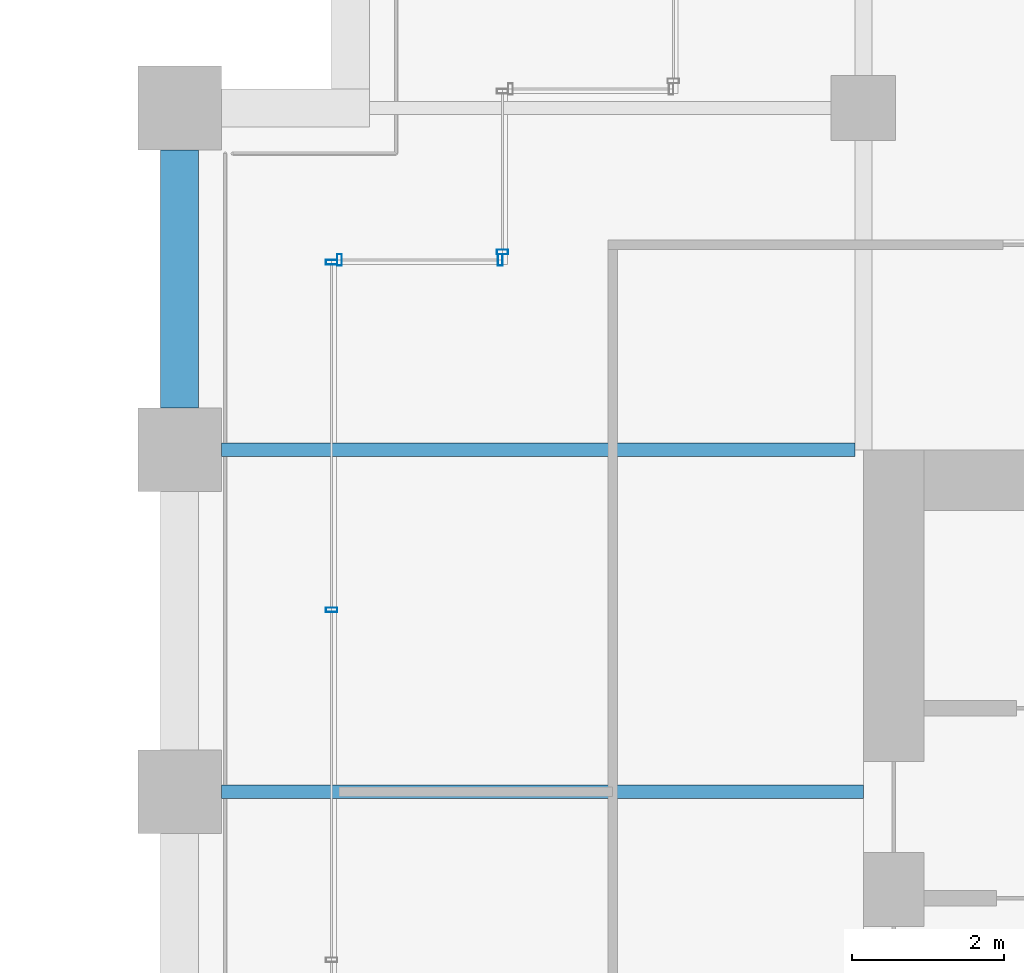
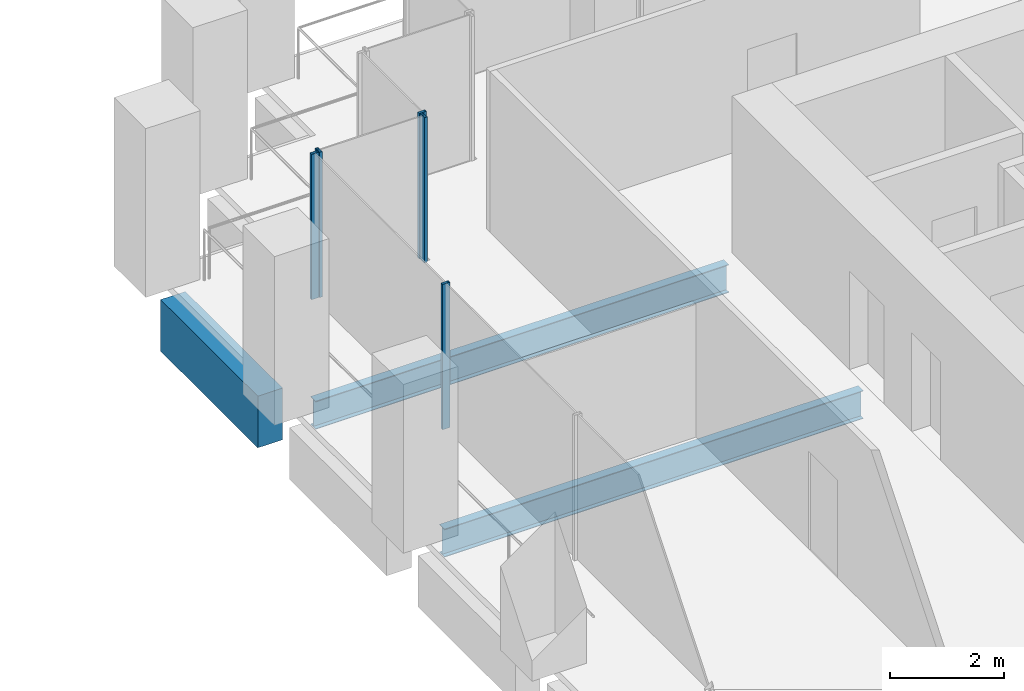
# One storey, part 40 of 56: 5 members, 3 beams, 3 elements without a shape of their own.
"""IFC4 building model written with IfcOpenShell, lengths in metres."""

from ifc_helpers import new_model, si_unit, direction, frame, origin, origin_2d, place, context, subcontext, project, spatial, rectangle, hollow_rectangle, i_section, extrude, material, material_profile, profile_set, type_object, element, aggregate, save


model = new_model("IFC4")

# Units and contexts
model_context = context("Model", 3, precision=1e-05, world=origin(), true_north=direction((0.0, 1.0)))
body_context = subcontext(model_context, "Body", "Model", "MODEL_VIEW")
ifc_project = project(units=[si_unit("LENGTHUNIT", "METRE"), si_unit("AREAUNIT", "SQUARE_METRE"), si_unit("VOLUMEUNIT", "CUBIC_METRE"), si_unit("PLANEANGLEUNIT", "RADIAN"), si_unit("MASSUNIT", "GRAM", prefix="KILO")], contexts=[model_context])

# Site, building, storey
site_placement = place(None, origin())
site = spatial("IfcSite", under=ifc_project, at=site_placement, CompositionType="ELEMENT")
building_placement = place(site_placement, origin())
building = spatial("IfcBuilding", under=site, at=building_placement, Name="Altepetl Exchange Towers", CompositionType="ELEMENT")
storey_placement = place(building_placement, frame((0.0, 0.0, 79.800048828125)))
storey = spatial("IfcBuildingStorey", under=building, at=storey_placement, Name="L19", CompositionType="ELEMENT", Elevation=79.800048828125)

# Beams
ifc_material_1 = material(Name="Steel S355", Category="steel")
ifc_material_profile_1 = material_profile(ifc_material_1, i_section(OverallWidth=0.177978515625, OverallDepth=0.59912109375, WebThickness=0.010009765625, FlangeThickness=0.0126953125, at=origin_2d()), Name="W24X55")
ifc_profile_set_1 = profile_set([ifc_material_profile_1], Name="Steel S355")
beam_type_1 = type_object("IfcBeamType", Name="Floor beam W24X55", PredefinedType="BEAM", material=ifc_profile_set_1)
beam_1_placement = place(storey_placement, frame((95.050048828125, 45.0, -0.449462890625), z_axis=(1.0, 0.0, 0.0), x_axis=(0.0, 1.0, 0.0)))
element("IfcBeam", 1, at=beam_1_placement, inside=storey, type_object=beam_type_1, Name="bm:B:L19:013", PredefinedType="BEAM", context=body_context, shape_type="SweptSolid", body=[
    extrude(i_section(OverallWidth=0.177978515625, OverallDepth=0.59912109375, WebThickness=0.010009765625, FlangeThickness=0.0126953125, at=origin_2d()), origin(), (0.0, 0.0, 1.0), 8.449951171875),
])
beam_2_placement = place(storey_placement, frame((95.050048828125, 49.5, -0.449462890625), z_axis=(1.0, 0.0, 0.0), x_axis=(0.0, 1.0, 0.0)))
element("IfcBeam", 2, at=beam_2_placement, inside=storey, type_object=beam_type_1, Name="bm:B:L19:014", PredefinedType="BEAM", context=body_context, shape_type="SweptSolid", body=[
    extrude(i_section(OverallWidth=0.177978515625, OverallDepth=0.59912109375, WebThickness=0.010009765625, FlangeThickness=0.0126953125, at=origin_2d()), origin(), (0.0, 0.0, 1.0), 8.3359375),
])

# Curtain wall, members
ifc_material_2 = material(Name="Aluminium 6063-T6 glazing", Category="aluminium")
curtain_wall_type = type_object("IfcCurtainWallType", Name="Loggia glazing system", PredefinedType="NOTDEFINED", material=ifc_material_2)
curtain_wall_1_placement = place(storey_placement, origin())
curtain_wall_1 = element("IfcCurtainWall", 3, at=curtain_wall_1_placement, inside=storey, type_object=curtain_wall_type, Name="CW1 run", PredefinedType="NOTDEFINED")
ifc_material_3 = material(Name="Aluminium 6063-T6", Category="aluminium")
ifc_material_profile_2 = material_profile(ifc_material_3, hollow_rectangle(XDim=0.06005859375, YDim=0.14990234375, WallThickness=0.0029296875, at=origin_2d()), Name="Mullion 60x150 aluminium")
ifc_profile_set_2 = profile_set([ifc_material_profile_2], Name="Aluminium 6063-T6")
member_type = type_object("IfcMemberType", Name="Mullion 60x150 aluminium", PredefinedType="MULLION", material=ifc_profile_set_2)
member_1_placement = place(storey_placement, frame((98.719970703125, 52.0, 0.0), z_axis=(0.0, 0.0, 1.0), x_axis=(-1.0, 0.0, 0.0)))
member_1 = element("IfcMember", 4, at=member_1_placement, type_object=member_type, Name="MU1 mullion", PredefinedType="MULLION", context=body_context, shape_type="SweptSolid", body=[
    extrude(hollow_rectangle(XDim=0.06005859375, YDim=0.14990234375, WallThickness=0.0029296875, at=origin_2d()), origin(), (0.0, 0.0, 1.0), 3.099853515625),
])
member_2_placement = place(storey_placement, frame((96.60498046875, 52.0, 0.0), z_axis=(0.0, 0.0, 1.0), x_axis=(-1.0, 0.0, 0.0)))
member_2 = element("IfcMember", 5, at=member_2_placement, type_object=member_type, Name="MU1 mullion", PredefinedType="MULLION", context=body_context, shape_type="SweptSolid", body=[
    extrude(hollow_rectangle(XDim=0.06005859375, YDim=0.14990234375, WallThickness=0.0029296875, at=origin_2d()), origin(), (0.0, 0.0, 1.0), 3.099853515625),
])
aggregate(curtain_wall_1, [member_1, member_2])

curtain_wall_2_placement = place(storey_placement, origin())
curtain_wall_2 = element("IfcCurtainWall", 6, at=curtain_wall_2_placement, inside=storey, type_object=curtain_wall_type, Name="CW1 run", PredefinedType="NOTDEFINED")
member_3_placement = place(storey_placement, frame((96.5, 51.969970703125, 0.0), z_axis=(0.0, 0.0, 1.0), x_axis=(0.0, -1.0, 0.0)))
member_3 = element("IfcMember", 7, at=member_3_placement, type_object=member_type, Name="MU1 mullion", PredefinedType="MULLION", context=body_context, shape_type="SweptSolid", body=[
    extrude(hollow_rectangle(XDim=0.06005859375, YDim=0.14990234375, WallThickness=0.0029296875, at=origin_2d()), origin(), (0.0, 0.0, 1.0), 3.099853515625),
])
member_4_placement = place(storey_placement, frame((96.5, 47.393798828125, 0.0), z_axis=(0.0, 0.0, 1.0), x_axis=(0.0, -1.0, 0.0)))
member_4 = element("IfcMember", 8, at=member_4_placement, type_object=member_type, Name="MU1 mullion", PredefinedType="MULLION", context=body_context, shape_type="SweptSolid", body=[
    extrude(hollow_rectangle(XDim=0.06005859375, YDim=0.14990234375, WallThickness=0.0029296875, at=origin_2d()), origin(), (0.0, 0.0, 1.0), 3.099853515625),
])
aggregate(curtain_wall_2, [member_3, member_4])

# Curtain wall, member
curtain_wall_3_placement = place(storey_placement, origin())
curtain_wall_3 = element("IfcCurtainWall", 9, at=curtain_wall_3_placement, inside=storey, type_object=curtain_wall_type, Name="CW1 run", PredefinedType="NOTDEFINED")
member_5_placement = place(storey_placement, frame((98.75, 52.10498046875, 0.0), z_axis=(0.0, 0.0, 1.0), x_axis=(0.0, -1.0, 0.0)))
member_5 = element("IfcMember", 10, at=member_5_placement, type_object=member_type, Name="MU1 mullion", PredefinedType="MULLION", context=body_context, shape_type="SweptSolid", body=[
    extrude(hollow_rectangle(XDim=0.06005859375, YDim=0.14990234375, WallThickness=0.0029296875, at=origin_2d()), origin(), (0.0, 0.0, 1.0), 3.099853515625),
])
aggregate(curtain_wall_3, [member_5])

# Beam
ifc_material_4 = material(Name="Concrete C50/60 precast with cantera rosa facing", Category="concrete")
ifc_material_profile_3 = material_profile(ifc_material_4, rectangle(XDim=0.5, YDim=1.10009765625, at=origin_2d()), Name="500 x 1100")
ifc_profile_set_3 = profile_set([ifc_material_profile_3], Name="Concrete C50/60 precast with cantera rosa facing")
beam_type_2 = type_object("IfcBeamType", Name="Spandrel beam 500x1100 cantera rosa", PredefinedType="SPANDREL", material=ifc_profile_set_3)
beam_3_placement = place(storey_placement, frame((94.5, 53.449951171875, -0.699951171875), z_axis=(0.0, -1.0, 0.0), x_axis=(1.0, 0.0, 0.0)))
element("IfcBeam", 11, at=beam_3_placement, inside=storey, type_object=beam_type_2, Name="sp:B:L19:027", PredefinedType="SPANDREL", context=body_context, shape_type="SweptSolid", body=[
    extrude(rectangle(XDim=0.5, YDim=1.10009765625, at=origin_2d()), origin(), (0.0, 0.0, 1.0), 3.39990234375),
])

save(model, "model.ifc")
